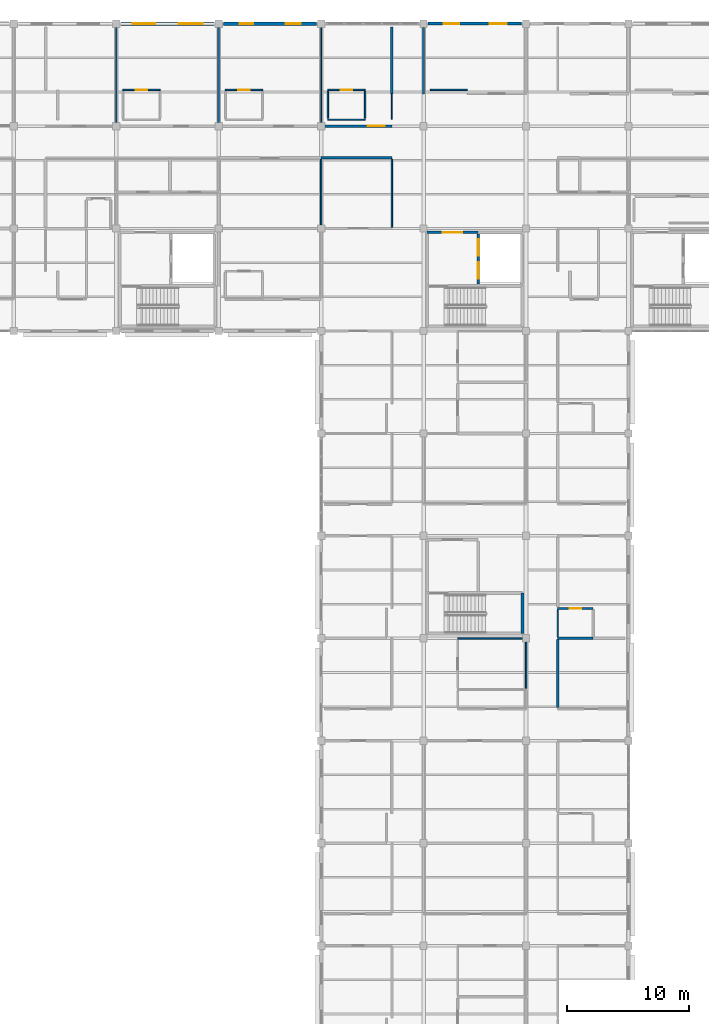
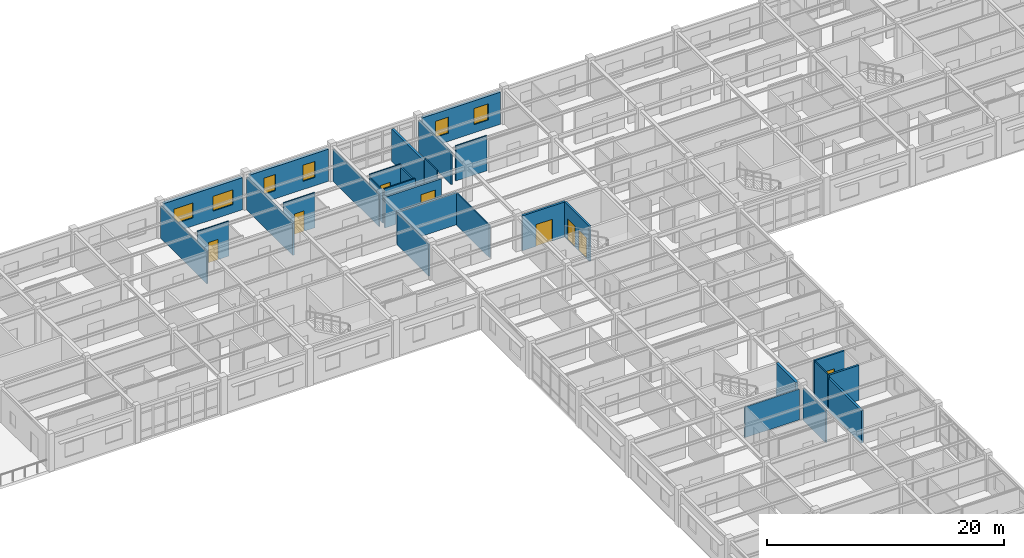
# One storey, part 54 of 70: 29 walls, 8 doors, 6 windows, 14 openings.
"""IFC4 building model written with IfcOpenShell, lengths in metres."""

from ifc_helpers import new_model, si_unit, direction, frame, frame_2d, origin, place, context, subcontext, project, spatial, rectangle, extrude, material, layer, layer_set, type_object, element, fill, save


model = new_model("IFC4")

# Units and contexts
model_context = context("Model", 3, precision=1e-05, world=origin(), true_north=direction((0.0, 1.0)))
body_context = subcontext(model_context, "Body", "Model", "MODEL_VIEW")
ifc_project = project(units=[si_unit("LENGTHUNIT", "METRE"), si_unit("AREAUNIT", "SQUARE_METRE"), si_unit("VOLUMEUNIT", "CUBIC_METRE"), si_unit("PLANEANGLEUNIT", "RADIAN"), si_unit("MASSUNIT", "GRAM", prefix="KILO")], contexts=[model_context])

# Site, building, storey
site_placement = place(None, origin())
site = spatial("IfcSite", under=ifc_project, at=site_placement, CompositionType="ELEMENT")
building_placement = place(site_placement, origin())
building = spatial("IfcBuilding", under=site, at=building_placement, Name="Bramfleet General Hospital", CompositionType="ELEMENT")
storey_placement = place(building_placement, frame((0.0, 0.0, 22.5)))
storey = spatial("IfcBuildingStorey", under=building, at=storey_placement, Name="L05", CompositionType="ELEMENT", Elevation=22.5)

# Wall, openings, windows
ifc_material_1 = material(Name="Precast concrete C40/50", Category="concrete")
ifc_layer_1 = layer(ifc_material_1, 0.280029296875, Name="WT-EW-06")
ifc_layer_set_1 = layer_set([ifc_layer_1], Name="Precast concrete C40/50")
wall_type_1 = type_object("IfcWallType", Name="WT-EW-06", PredefinedType="SOLIDWALL", material=ifc_layer_set_1)
wall_1_placement = place(storey_placement, frame((75.97509765625, 117.60009765625, 0.0), z_axis=(0.0, 0.0, 1.0), x_axis=(1.0, 0.0, 0.0)))
wall_1 = element("IfcWall", 1, at=wall_1_placement, inside=storey, type_object=wall_type_1, Name="L05 Exterior Wall 347", PredefinedType="SOLIDWALL", context=body_context, shape_type="SweptSolid", body=[
    extrude(rectangle(XDim=7.64990234375, YDim=0.280029296875, at=frame_2d((3.824951171875, 0.0))), origin(), (0.0, 0.0, 1.0), 3.31005859375),
])
opening_1_placement = place(wall_1_placement, frame((0.987548828125, 0.0, 0.85009765625)))
opening_1 = element("IfcOpeningElement", 2, at=opening_1_placement, cuts=wall_1, Name="Opening W-29", PredefinedType="OPENING", context=body_context, shape_type="SweptSolid", body=[
    extrude(rectangle(XDim=1.85009765625, YDim=1.5400390625, at=frame_2d((0.925048828125, 0.77001953125))), frame((0.0, 0.14990234375, 0.0), z_axis=(0.0, -1.0, 0.0), x_axis=(1.0, 0.0, 0.0)), (0.0, 0.0, 1.0), 0.300048828125),
])
opening_2_placement = place(wall_1_placement, frame((4.762451171875, 0.0, 0.85009765625)))
opening_2 = element("IfcOpeningElement", 3, at=opening_2_placement, cuts=wall_1, Name="Opening W-30", PredefinedType="OPENING", context=body_context, shape_type="SweptSolid", body=[
    extrude(rectangle(XDim=1.949951171875, YDim=1.5400390625, at=frame_2d((0.97509765625, 0.77001953125))), frame((0.0, 0.14990234375, 0.0), z_axis=(0.0, -1.0, 0.0), x_axis=(1.0, 0.0, 0.0)), (0.0, 0.0, 1.0), 0.300048828125),
])
ifc_material_2 = material(Name="Anodised aluminium and low-E triple glazing", Category="aluminium")
window_type_1 = type_object("IfcWindowType", Name="WIN-W-29", PartitioningType="SINGLE_PANEL", PredefinedType="WINDOW", material=ifc_material_2)
window_1_placement = place(opening_1_placement, origin())
window_1 = element("IfcWindow", 4, at=window_1_placement, inside=storey, type_object=window_type_1, Name="L05 Facade Window WIN-L05-347-1", OverallHeight=1.5400390625, OverallWidth=1.85009765625, PartitioningType="SINGLE_PANEL", PredefinedType="WINDOW", context=body_context, shape_type="SweptSolid", body=[
    extrude(rectangle(XDim=1.85009765625, YDim=1.5400390625, at=frame_2d((0.925048828125, 0.77001953125))), frame((0.0, 0.030029296875, 0.0), z_axis=(0.0, -1.0, 0.0), x_axis=(1.0, 0.0, 0.0)), (0.0, 0.0, 1.0), 0.06005859375),
])
fill(opening_1, window_1)
window_type_2 = type_object("IfcWindowType", Name="WIN-W-30", PartitioningType="SINGLE_PANEL", PredefinedType="WINDOW", material=ifc_material_2)
window_2_placement = place(opening_2_placement, origin())
window_2 = element("IfcWindow", 5, at=window_2_placement, inside=storey, type_object=window_type_2, Name="L05 Facade Window WIN-L05-347-2", OverallHeight=1.5400390625, OverallWidth=1.949951171875, PartitioningType="SINGLE_PANEL", PredefinedType="WINDOW", context=body_context, shape_type="SweptSolid", body=[
    extrude(rectangle(XDim=1.949951171875, YDim=1.5400390625, at=frame_2d((0.97509765625, 0.77001953125))), frame((0.0, 0.030029296875, 0.0), z_axis=(0.0, -1.0, 0.0), x_axis=(1.0, 0.0, 0.0)), (0.0, 0.0, 1.0), 0.06005859375),
])
fill(opening_2, window_2)

ifc_layer_2 = layer(ifc_material_1, 0.264892578125, Name="WT-EW-07")
ifc_layer_set_2 = layer_set([ifc_layer_2], Name="Precast concrete C40/50")
wall_type_2 = type_object("IfcWallType", Name="WT-EW-07", PredefinedType="SOLIDWALL", material=ifc_layer_set_2)
wall_2_placement = place(storey_placement, frame((84.375, 117.60009765625, 0.0), z_axis=(0.0, 0.0, 1.0), x_axis=(1.0, 0.0, 0.0)))
wall_2 = element("IfcWall", 6, at=wall_2_placement, inside=storey, type_object=wall_type_2, Name="L05 Exterior Wall 348", PredefinedType="SOLIDWALL", context=body_context, shape_type="SweptSolid", body=[
    extrude(rectangle(XDim=7.64990234375, YDim=0.264892578125, at=frame_2d((3.824951171875, 0.0))), origin(), (0.0, 0.0, 1.0), 3.31005859375),
])
opening_3_placement = place(wall_2_placement, frame((1.362548828125, 0.0, 0.85009765625)))
opening_3 = element("IfcOpeningElement", 7, at=opening_3_placement, cuts=wall_2, Name="Opening W-31", PredefinedType="OPENING", context=body_context, shape_type="SweptSolid", body=[
    extrude(rectangle(XDim=1.10009765625, YDim=1.659912109375, at=frame_2d((0.550048828125, 0.830078125))), frame((0.0, 0.142333984375, 0.0), z_axis=(0.0, -1.0, 0.0), x_axis=(1.0, 0.0, 0.0)), (0.0, 0.0, 1.0), 0.284912109375),
])
opening_4_placement = place(wall_2_placement, frame((5.137451171875, 0.0, 0.85009765625)))
opening_4 = element("IfcOpeningElement", 8, at=opening_4_placement, cuts=wall_2, Name="Opening W-32", PredefinedType="OPENING", context=body_context, shape_type="SweptSolid", body=[
    extrude(rectangle(XDim=1.199951171875, YDim=1.659912109375, at=frame_2d((0.60009765625, 0.830078125))), frame((0.0, 0.142333984375, 0.0), z_axis=(0.0, -1.0, 0.0), x_axis=(1.0, 0.0, 0.0)), (0.0, 0.0, 1.0), 0.284912109375),
])
window_type_3 = type_object("IfcWindowType", Name="WIN-W-31", PartitioningType="SINGLE_PANEL", PredefinedType="WINDOW", material=ifc_material_2)
window_3_placement = place(opening_3_placement, origin())
window_3 = element("IfcWindow", 9, at=window_3_placement, inside=storey, type_object=window_type_3, Name="L05 Facade Window WIN-L05-348-1", OverallHeight=1.659912109375, OverallWidth=1.10009765625, PartitioningType="SINGLE_PANEL", PredefinedType="WINDOW", context=body_context, shape_type="SweptSolid", body=[
    extrude(rectangle(XDim=1.10009765625, YDim=1.659912109375, at=frame_2d((0.550048828125, 0.830078125))), frame((0.0, 0.030029296875, 0.0), z_axis=(0.0, -1.0, 0.0), x_axis=(1.0, 0.0, 0.0)), (0.0, 0.0, 1.0), 0.06005859375),
])
fill(opening_3, window_3)
window_type_4 = type_object("IfcWindowType", Name="WIN-W-32", PartitioningType="SINGLE_PANEL", PredefinedType="WINDOW", material=ifc_material_2)
window_4_placement = place(opening_4_placement, origin())
window_4 = element("IfcWindow", 10, at=window_4_placement, inside=storey, type_object=window_type_4, Name="L05 Facade Window WIN-L05-348-2", OverallHeight=1.659912109375, OverallWidth=1.199951171875, PartitioningType="SINGLE_PANEL", PredefinedType="WINDOW", context=body_context, shape_type="SweptSolid", body=[
    extrude(rectangle(XDim=1.199951171875, YDim=1.659912109375, at=frame_2d((0.60009765625, 0.830078125))), frame((0.0, 0.030029296875, 0.0), z_axis=(0.0, -1.0, 0.0), x_axis=(1.0, 0.0, 0.0)), (0.0, 0.0, 1.0), 0.06005859375),
])
fill(opening_4, window_4)

ifc_layer_3 = layer(ifc_material_1, 0.25, Name="WT-EW-08")
ifc_layer_set_3 = layer_set([ifc_layer_3], Name="Precast concrete C40/50")
wall_type_3 = type_object("IfcWallType", Name="WT-EW-08", PredefinedType="SOLIDWALL", material=ifc_layer_set_3)
wall_3_placement = place(storey_placement, frame((101.175048828125, 117.60009765625, 0.0), z_axis=(0.0, 0.0, 1.0), x_axis=(1.0, 0.0, 0.0)))
wall_3 = element("IfcWall", 11, at=wall_3_placement, inside=storey, type_object=wall_type_3, Name="L05 Exterior Wall 349", PredefinedType="SOLIDWALL", context=body_context, shape_type="SweptSolid", body=[
    extrude(rectangle(XDim=7.64990234375, YDim=0.25, at=frame_2d((3.824951171875, 0.0))), origin(), (0.0, 0.0, 1.0), 3.31005859375),
])
opening_5_placement = place(wall_3_placement, frame((1.262451171875, 0.0, 0.85009765625)))
opening_5 = element("IfcOpeningElement", 12, at=opening_5_placement, cuts=wall_3, Name="Opening W-33", PredefinedType="OPENING", context=body_context, shape_type="SweptSolid", body=[
    extrude(rectangle(XDim=1.300048828125, YDim=1.659912109375, at=frame_2d((0.64990234375, 0.830078125))), frame((0.0, 0.135009765625, 0.0), z_axis=(0.0, -1.0, 0.0), x_axis=(1.0, 0.0, 0.0)), (0.0, 0.0, 1.0), 0.27001953125),
])
opening_6_placement = place(wall_3_placement, frame((5.03759765625, 0.0, 0.85009765625)))
opening_6 = element("IfcOpeningElement", 13, at=opening_6_placement, cuts=wall_3, Name="Opening W-34", PredefinedType="OPENING", context=body_context, shape_type="SweptSolid", body=[
    extrude(rectangle(XDim=1.39990234375, YDim=1.659912109375, at=frame_2d((0.699951171875, 0.830078125))), frame((0.0, 0.135009765625, 0.0), z_axis=(0.0, -1.0, 0.0), x_axis=(1.0, 0.0, 0.0)), (0.0, 0.0, 1.0), 0.27001953125),
])
window_type_5 = type_object("IfcWindowType", Name="WIN-W-33", PartitioningType="SINGLE_PANEL", PredefinedType="WINDOW", material=ifc_material_2)
window_5_placement = place(opening_5_placement, origin())
window_5 = element("IfcWindow", 14, at=window_5_placement, inside=storey, type_object=window_type_5, Name="L05 Facade Window WIN-L05-349-1", OverallHeight=1.659912109375, OverallWidth=1.300048828125, PartitioningType="SINGLE_PANEL", PredefinedType="WINDOW", context=body_context, shape_type="SweptSolid", body=[
    extrude(rectangle(XDim=1.300048828125, YDim=1.659912109375, at=frame_2d((0.64990234375, 0.830078125))), frame((0.0, 0.030029296875, 0.0), z_axis=(0.0, -1.0, 0.0), x_axis=(1.0, 0.0, 0.0)), (0.0, 0.0, 1.0), 0.06005859375),
])
fill(opening_5, window_5)
window_type_6 = type_object("IfcWindowType", Name="WIN-W-34", PartitioningType="SINGLE_PANEL", PredefinedType="WINDOW", material=ifc_material_2)
window_6_placement = place(opening_6_placement, origin())
window_6 = element("IfcWindow", 15, at=window_6_placement, inside=storey, type_object=window_type_6, Name="L05 Facade Window WIN-L05-349-2", OverallHeight=1.659912109375, OverallWidth=1.39990234375, PartitioningType="SINGLE_PANEL", PredefinedType="WINDOW", context=body_context, shape_type="SweptSolid", body=[
    extrude(rectangle(XDim=1.39990234375, YDim=1.659912109375, at=frame_2d((0.699951171875, 0.830078125))), frame((0.0, 0.030029296875, 0.0), z_axis=(0.0, -1.0, 0.0), x_axis=(1.0, 0.0, 0.0)), (0.0, 0.0, 1.0), 0.06005859375),
])
fill(opening_6, window_6)

# Wall
ifc_material_3 = material(Name="Concrete C35/45", Category="concrete")
ifc_layer_4 = layer(ifc_material_3, 0.219970703125, Name="WT-IW-01")
ifc_layer_set_4 = layer_set([ifc_layer_4], Name="Concrete C35/45")
wall_type_4 = type_object("IfcWallType", Name="WT-IW-01", PredefinedType="PARTITIONING", material=ifc_layer_set_4)
wall_4_placement = place(storey_placement, frame((98.199951171875, 111.85009765625, 0.0), z_axis=(0.0, 0.0, 1.0), x_axis=(0.0, 1.0, 0.0)))
element("IfcWall", 16, at=wall_4_placement, inside=storey, type_object=wall_type_4, Name="L05 Interior Partition IW-L05-3721", PredefinedType="PARTITIONING", context=body_context, shape_type="SweptSolid", body=[
    extrude(rectangle(XDim=5.469970703125, YDim=0.219970703125, at=frame_2d((2.73486328125, 0.0))), origin(), (0.0, 0.0, 1.0), 3.340087890625),
])

# Wall, openings, doors
ifc_layer_5 = layer(ifc_material_3, 0.205078125, Name="WT-IW-02")
ifc_layer_set_5 = layer_set([ifc_layer_5], Name="Concrete C35/45")
wall_type_5 = type_object("IfcWallType", Name="WT-IW-02", PredefinedType="PARTITIONING", material=ifc_layer_set_5)
wall_5_placement = place(storey_placement, frame((105.280029296875, 96.239990234375, 0.0), z_axis=(0.0, 0.0, 1.0), x_axis=(0.0, 1.0, 0.0)))
wall_5 = element("IfcWall", 17, at=wall_5_placement, inside=storey, type_object=wall_type_5, Name="L05 C4 Lobby East Shaft Wall", PredefinedType="PARTITIONING", context=body_context, shape_type="SweptSolid", body=[
    extrude(rectangle(XDim=4.1201171875, YDim=0.205078125, at=frame_2d((2.06005859375, 0.0))), origin(), (0.0, 0.0, 1.0), 3.610107421875),
])
opening_7_placement = place(wall_5_placement, frame((0.445068359375, 0.0, 0.0)))
opening_7 = element("IfcOpeningElement", 18, at=opening_7_placement, cuts=wall_5, Name="Opening LD-FL-02-L05", PredefinedType="OPENING", context=body_context, shape_type="SweptSolid", body=[
    extrude(rectangle(XDim=1.35009765625, YDim=2.199951171875, at=frame_2d((0.675048828125, 1.10009765625))), frame((0.0, 0.112548828125, 0.0), z_axis=(0.0, -1.0, 0.0), x_axis=(1.0, 0.0, 0.0)), (0.0, 0.0, 1.0), 0.22509765625),
])
opening_8_placement = place(wall_5_placement, frame((2.324951171875, 0.0, 0.0)))
opening_8 = element("IfcOpeningElement", 19, at=opening_8_placement, cuts=wall_5, Name="Opening LD-BL-04-L05", PredefinedType="OPENING", context=body_context, shape_type="SweptSolid", body=[
    extrude(rectangle(XDim=1.35009765625, YDim=2.199951171875, at=frame_2d((0.675048828125, 1.10009765625))), frame((0.0, 0.112548828125, 0.0), z_axis=(0.0, -1.0, 0.0), x_axis=(1.0, 0.0, 0.0)), (0.0, 0.0, 1.0), 0.22509765625),
])
ifc_material_4 = material(Name="Brushed stainless steel 1.4301", Category="steel")
door_type_1 = type_object("IfcDoorType", Name="DR-LD-01", OperationType="NOTDEFINED", PredefinedType="DOOR", material=ifc_material_4)
door_1_placement = place(opening_7_placement, origin())
door_1 = element("IfcDoor", 20, at=door_1_placement, inside=storey, type_object=door_type_1, Name="L05 Lift FL-02 Sliding Landing Door", OperationType="SLIDING_TO_LEFT", OverallHeight=2.199951171875, OverallWidth=1.35009765625, PredefinedType="DOOR", context=body_context, shape_type="SweptSolid", body=[
    extrude(rectangle(XDim=1.35009765625, YDim=2.199951171875, at=frame_2d((0.675048828125, 1.10009765625))), frame((0.0, 0.02490234375, 0.0), z_axis=(0.0, -1.0, 0.0), x_axis=(1.0, 0.0, 0.0)), (0.0, 0.0, 1.0), 0.050048828125),
])
fill(opening_7, door_1)
door_2_placement = place(opening_8_placement, origin())
door_2 = element("IfcDoor", 21, at=door_2_placement, inside=storey, type_object=door_type_1, Name="L05 Lift BL-04 Sliding Landing Door", OperationType="SLIDING_TO_LEFT", OverallHeight=2.199951171875, OverallWidth=1.35009765625, PredefinedType="DOOR", context=body_context, shape_type="SweptSolid", body=[
    extrude(rectangle(XDim=1.35009765625, YDim=2.199951171875, at=frame_2d((0.675048828125, 1.10009765625))), frame((0.0, 0.02490234375, 0.0), z_axis=(0.0, -1.0, 0.0), x_axis=(1.0, 0.0, 0.0)), (0.0, 0.0, 1.0), 0.050048828125),
])
fill(opening_8, door_2)

# Wall, opening, door
wall_6_placement = place(storey_placement, frame((101.10009765625, 100.47998046875, 0.0), z_axis=(0.0, 0.0, 1.0), x_axis=(1.0, 0.0, 0.0)))
wall_6 = element("IfcWall", 22, at=wall_6_placement, inside=storey, type_object=wall_type_5, Name="L05 C4 Lobby North Compartment Wall", PredefinedType="PARTITIONING", context=body_context, shape_type="SweptSolid", body=[
    extrude(rectangle(XDim=4.179931640625, YDim=0.205078125, at=frame_2d((2.08984375, 0.0))), origin(), (0.0, 0.0, 1.0), 3.610107421875),
])
opening_9_placement = place(wall_6_placement, frame((1.2900390625, 0.0, 0.0)))
opening_9 = element("IfcOpeningElement", 23, at=opening_9_placement, cuts=wall_6, Name="Opening D0050", PredefinedType="OPENING", context=body_context, shape_type="SweptSolid", body=[
    extrude(rectangle(XDim=1.60009765625, YDim=2.25, at=frame_2d((0.800048828125, 1.125))), frame((0.0, 0.112548828125, 0.0), z_axis=(0.0, -1.0, 0.0), x_axis=(1.0, 0.0, 0.0)), (0.0, 0.0, 1.0), 0.22509765625),
])
ifc_material_5 = material(Name="Stainless steel and acoustic timber leaf", Category="steel")
door_type_2 = type_object("IfcDoorType", Name="DR-D-04", OperationType="NOTDEFINED", PredefinedType="DOOR", material=ifc_material_5)
door_3_placement = place(opening_9_placement, origin())
door_3 = element("IfcDoor", 24, at=door_3_placement, inside=storey, type_object=door_type_2, Name="L05 C4 Lobby Fire Door D0050", OperationType="DOUBLE_SWING_LEFT", OverallHeight=2.25, OverallWidth=1.60009765625, PredefinedType="DOOR", context=body_context, shape_type="SweptSolid", body=[
    extrude(rectangle(XDim=1.60009765625, YDim=2.25, at=frame_2d((0.800048828125, 1.125))), frame((0.0, 0.02490234375, 0.0), z_axis=(0.0, -1.0, 0.0), x_axis=(1.0, 0.0, 0.0)), (0.0, 0.0, 1.0), 0.050048828125),
])
fill(opening_9, door_3)

# Walls
wall_7_placement = place(storey_placement, frame((92.39990234375, 106.60009765625, 0.0), z_axis=(0.0, 0.0, 1.0), x_axis=(1.0, 0.0, 0.0)))
element("IfcWall", 25, at=wall_7_placement, inside=storey, type_object=wall_type_5, Name="L05 Interior Partition IW-L05-3626", PredefinedType="PARTITIONING", context=body_context, shape_type="SweptSolid", body=[
    extrude(rectangle(XDim=5.800048828125, YDim=0.205078125, at=frame_2d((2.89990234375, 0.0))), origin(), (0.0, 0.0, 1.0), 3.300048828125),
])
wall_8_placement = place(storey_placement, frame((111.800048828125, 61.514892578125, 0.0), z_axis=(0.0, 0.0, 1.0), x_axis=(0.0, 1.0, 0.0)))
element("IfcWall", 26, at=wall_8_placement, inside=storey, type_object=wall_type_5, Name="L05 Interior Partition IW-L05-3758", PredefinedType="PARTITIONING", context=body_context, shape_type="SweptSolid", body=[
    extrude(rectangle(XDim=5.570068359375, YDim=0.205078125, at=frame_2d((2.78515625, 0.0))), origin(), (0.0, 0.0, 1.0), 3.340087890625),
])
ifc_layer_6 = layer(ifc_material_3, 0.18994140625, Name="WT-IW-03")
ifc_layer_set_6 = layer_set([ifc_layer_6], Name="Concrete C35/45")
wall_type_6 = type_object("IfcWallType", Name="WT-IW-03", PredefinedType="PARTITIONING", material=ifc_layer_set_6)
wall_9_placement = place(storey_placement, frame((111.800048828125, 67.199951171875, 0.0), z_axis=(0.0, 0.0, 1.0), x_axis=(1.0, 0.0, 0.0)))
element("IfcWall", 27, at=wall_9_placement, inside=storey, type_object=wall_type_6, Name="L05 Interior Partition IW-L05-3567", PredefinedType="PARTITIONING", context=body_context, shape_type="SweptSolid", body=[
    extrude(rectangle(XDim=2.89990234375, YDim=0.18994140625, at=frame_2d((1.449951171875, 0.0))), origin(), (0.0, 0.0, 1.0), 3.610107421875),
])

# Wall, opening, door
wall_10_placement = place(storey_placement, frame((92.695068359375, 109.199951171875, 0.0), z_axis=(0.0, 0.0, 1.0), x_axis=(1.0, 0.0, 0.0)))
wall_10 = element("IfcWall", 28, at=wall_10_placement, inside=storey, type_object=wall_type_6, Name="L05 Interior Partition IW-L05-3639", PredefinedType="PARTITIONING", context=body_context, shape_type="SweptSolid", body=[
    extrude(rectangle(XDim=5.5048828125, YDim=0.18994140625, at=frame_2d((2.75244140625, 0.0))), origin(), (0.0, 0.0, 1.0), 3.159912109375),
])
opening_10_placement = place(wall_10_placement, frame((3.526611328125, 0.0, 0.0)))
opening_10 = element("IfcOpeningElement", 29, at=opening_10_placement, cuts=wall_10, Name="Opening D1377", PredefinedType="OPENING", context=body_context, shape_type="SweptSolid", body=[
    extrude(rectangle(XDim=1.39990234375, YDim=2.199951171875, at=frame_2d((0.699951171875, 1.10009765625))), frame((0.0, 0.10498046875, 0.0), z_axis=(0.0, -1.0, 0.0), x_axis=(1.0, 0.0, 0.0)), (0.0, 0.0, 1.0), 0.2099609375),
])
door_type_3 = type_object("IfcDoorType", Name="DR-D-01", OperationType="NOTDEFINED", PredefinedType="DOOR", material=ifc_material_5)
door_4_placement = place(opening_10_placement, origin())
door_4 = element("IfcDoor", 30, at=door_4_placement, inside=storey, type_object=door_type_3, Name="Medical and Cardiology Ward Bedroom L05-1113 Door D1377", OperationType="SINGLE_SWING_RIGHT", OverallHeight=2.199951171875, OverallWidth=1.39990234375, PredefinedType="DOOR", context=body_context, shape_type="SweptSolid", body=[
    extrude(rectangle(XDim=1.39990234375, YDim=2.199951171875, at=frame_2d((0.699951171875, 1.10009765625))), frame((0.0, 0.02490234375, 0.0), z_axis=(0.0, -1.0, 0.0), x_axis=(1.0, 0.0, 0.0)), (0.0, 0.0, 1.0), 0.050048828125),
])
fill(opening_10, door_4)

ifc_material_6 = material(Name="Gypsum plasterboard on acoustic steel studs", Category="steel")
ifc_layer_7 = layer(ifc_material_6, 0.169921875, Name="WT-IW-05")
ifc_layer_set_7 = layer_set([ifc_layer_7], Name="Gypsum plasterboard on acoustic steel studs")
wall_type_7 = type_object("IfcWallType", Name="WT-IW-05", PredefinedType="PARTITIONING", material=ifc_layer_set_7)
wall_11_placement = place(storey_placement, frame((111.800048828125, 69.64990234375, 0.0), z_axis=(0.0, 0.0, 1.0), x_axis=(1.0, 0.0, 0.0)))
wall_11 = element("IfcWall", 31, at=wall_11_placement, inside=storey, type_object=wall_type_7, Name="L05 Interior Partition IW-L05-3569", PredefinedType="PARTITIONING", context=body_context, shape_type="SweptSolid", body=[
    extrude(rectangle(XDim=2.89990234375, YDim=0.169921875, at=frame_2d((1.449951171875, 0.0))), origin(), (0.0, 0.0, 1.0), 3.610107421875),
])
opening_11_placement = place(wall_11_placement, frame((0.97509765625, 0.0, 0.0)))
opening_11 = element("IfcOpeningElement", 32, at=opening_11_placement, cuts=wall_11, Name="Opening D1404", PredefinedType="OPENING", context=body_context, shape_type="SweptSolid", body=[
    extrude(rectangle(XDim=0.949951171875, YDim=2.10009765625, at=frame_2d((0.47509765625, 1.050048828125))), frame((0.0, 0.094970703125, 0.0), z_axis=(0.0, -1.0, 0.0), x_axis=(1.0, 0.0, 0.0)), (0.0, 0.0, 1.0), 0.18994140625),
])
door_type_4 = type_object("IfcDoorType", Name="DR-D-10", OperationType="NOTDEFINED", PredefinedType="DOOR", material=ifc_material_5)
door_5_placement = place(opening_11_placement, origin())
door_5 = element("IfcDoor", 33, at=door_5_placement, inside=storey, type_object=door_type_4, Name="En-Suite Bathroom L05-1308 Door D1404", OperationType="SINGLE_SWING_LEFT", OverallHeight=2.10009765625, OverallWidth=0.949951171875, PredefinedType="DOOR", context=body_context, shape_type="SweptSolid", body=[
    extrude(rectangle(XDim=0.949951171875, YDim=2.10009765625, at=frame_2d((0.47509765625, 1.050048828125))), frame((0.0, 0.02490234375, 0.0), z_axis=(0.0, -1.0, 0.0), x_axis=(1.0, 0.0, 0.0)), (0.0, 0.0, 1.0), 0.050048828125),
])
fill(opening_11, door_5)

# Walls
wall_12_placement = place(storey_placement, frame((84.0, 109.4951171875, 0.0), z_axis=(0.0, 0.0, 1.0), x_axis=(0.0, 1.0, 0.0)))
element("IfcWall", 34, at=wall_12_placement, inside=storey, type_object=wall_type_7, Name="L05 Interior Partition IW-L05-3689", PredefinedType="PARTITIONING", context=body_context, shape_type="SweptSolid", body=[
    extrude(rectangle(XDim=7.809814453125, YDim=0.169921875, at=frame_2d((3.90478515625, 0.0))), origin(), (0.0, 0.0, 1.0), 3.300048828125),
])
ifc_layer_8 = layer(ifc_material_6, 0.14990234375, Name="WT-IW-07")
ifc_layer_set_8 = layer_set([ifc_layer_8], Name="Gypsum plasterboard on acoustic steel studs")
wall_type_8 = type_object("IfcWallType", Name="WT-IW-07", PredefinedType="PARTITIONING", material=ifc_layer_set_8)
wall_13_placement = place(storey_placement, frame((100.800048828125, 111.85009765625, 0.0), z_axis=(0.0, 0.0, 1.0), x_axis=(0.0, 1.0, 0.0)))
element("IfcWall", 35, at=wall_13_placement, inside=storey, type_object=wall_type_8, Name="L05 Interior Partition IW-L05-3727", PredefinedType="PARTITIONING", context=body_context, shape_type="SweptSolid", body=[
    extrude(rectangle(XDim=5.454833984375, YDim=0.14990234375, at=frame_2d((2.7275390625, 0.0))), origin(), (0.0, 0.0, 1.0), 3.300048828125),
])
ifc_layer_9 = layer(ifc_material_6, 0.1201171875, Name="WT-IW-10")
ifc_layer_set_9 = layer_set([ifc_layer_9], Name="Gypsum plasterboard on acoustic steel studs")
wall_type_9 = type_object("IfcWallType", Name="WT-IW-10", PredefinedType="PARTITIONING", material=ifc_layer_set_9)
wall_14_placement = place(storey_placement, frame((103.60009765625, 67.199951171875, 0.0), z_axis=(0.0, 0.0, 1.0), x_axis=(1.0, 0.0, 0.0)))
element("IfcWall", 36, at=wall_14_placement, inside=storey, type_object=wall_type_9, Name="L05 Interior Partition IW-L05-3566", PredefinedType="PARTITIONING", context=body_context, shape_type="SweptSolid", body=[
    extrude(rectangle(XDim=5.304931640625, YDim=0.1201171875, at=frame_2d((2.65234375, 0.0))), origin(), (0.0, 0.0, 1.0), 3.159912109375),
])
wall_15_placement = place(storey_placement, frame((92.949951171875, 109.719970703125, 0.0), z_axis=(0.0, 0.0, 1.0), x_axis=(1.0, 0.0, 0.0)))
element("IfcWall", 37, at=wall_15_placement, inside=storey, type_object=wall_type_9, Name="L05 Interior Partition IW-L05-3645", PredefinedType="PARTITIONING", context=body_context, shape_type="SweptSolid", body=[
    extrude(rectangle(XDim=3.050048828125, YDim=0.1201171875, at=frame_2d((1.52490234375, 0.0))), origin(), (0.0, 0.0, 1.0), 3.610107421875),
])

# Wall, opening, door
wall_16_placement = place(storey_placement, frame((76.14990234375, 112.169921875, 0.0), z_axis=(0.0, 0.0, 1.0), x_axis=(1.0, 0.0, 0.0)))
wall_16 = element("IfcWall", 38, at=wall_16_placement, inside=storey, type_object=wall_type_9, Name="L05 Interior Partition IW-L05-3655", PredefinedType="PARTITIONING", context=body_context, shape_type="SweptSolid", body=[
    extrude(rectangle(XDim=3.050048828125, YDim=0.1201171875, at=frame_2d((1.52490234375, 0.0))), origin(), (0.0, 0.0, 1.0), 3.610107421875),
])
opening_12_placement = place(wall_16_placement, frame((1.050048828125, 0.0, 0.0)))
opening_12 = element("IfcOpeningElement", 39, at=opening_12_placement, cuts=wall_16, Name="Opening D1357", PredefinedType="OPENING", context=body_context, shape_type="SweptSolid", body=[
    extrude(rectangle(XDim=0.949951171875, YDim=2.10009765625, at=frame_2d((0.47509765625, 1.050048828125))), frame((0.0, 0.070068359375, 0.0), z_axis=(0.0, -1.0, 0.0), x_axis=(1.0, 0.0, 0.0)), (0.0, 0.0, 1.0), 0.14013671875),
])
door_6_placement = place(opening_12_placement, origin())
door_6 = element("IfcDoor", 40, at=door_6_placement, inside=storey, type_object=door_type_4, Name="En-Suite Bathroom L05-0913 Door D1357", OperationType="SINGLE_SWING_LEFT", OverallHeight=2.10009765625, OverallWidth=0.949951171875, PredefinedType="DOOR", context=body_context, shape_type="SweptSolid", body=[
    extrude(rectangle(XDim=0.949951171875, YDim=2.10009765625, at=frame_2d((0.47509765625, 1.050048828125))), frame((0.0, 0.02490234375, 0.0), z_axis=(0.0, -1.0, 0.0), x_axis=(1.0, 0.0, 0.0)), (0.0, 0.0, 1.0), 0.050048828125),
])
fill(opening_12, door_6)

wall_17_placement = place(storey_placement, frame((84.550048828125, 112.169921875, 0.0), z_axis=(0.0, 0.0, 1.0), x_axis=(1.0, 0.0, 0.0)))
wall_17 = element("IfcWall", 41, at=wall_17_placement, inside=storey, type_object=wall_type_9, Name="L05 Interior Partition IW-L05-3656", PredefinedType="PARTITIONING", context=body_context, shape_type="SweptSolid", body=[
    extrude(rectangle(XDim=3.050048828125, YDim=0.1201171875, at=frame_2d((1.52490234375, 0.0))), origin(), (0.0, 0.0, 1.0), 3.610107421875),
])
opening_13_placement = place(wall_17_placement, frame((1.050048828125, 0.0, 0.0)))
opening_13 = element("IfcOpeningElement", 42, at=opening_13_placement, cuts=wall_17, Name="Opening D1362", PredefinedType="OPENING", context=body_context, shape_type="SweptSolid", body=[
    extrude(rectangle(XDim=0.949951171875, YDim=2.10009765625, at=frame_2d((0.47509765625, 1.050048828125))), frame((0.0, 0.070068359375, 0.0), z_axis=(0.0, -1.0, 0.0), x_axis=(1.0, 0.0, 0.0)), (0.0, 0.0, 1.0), 0.14013671875),
])
door_7_placement = place(opening_13_placement, origin())
door_7 = element("IfcDoor", 43, at=door_7_placement, inside=storey, type_object=door_type_4, Name="En-Suite Bathroom L05-1013 Door D1362", OperationType="SINGLE_SWING_LEFT", OverallHeight=2.10009765625, OverallWidth=0.949951171875, PredefinedType="DOOR", context=body_context, shape_type="SweptSolid", body=[
    extrude(rectangle(XDim=0.949951171875, YDim=2.10009765625, at=frame_2d((0.47509765625, 1.050048828125))), frame((0.0, 0.02490234375, 0.0), z_axis=(0.0, -1.0, 0.0), x_axis=(1.0, 0.0, 0.0)), (0.0, 0.0, 1.0), 0.050048828125),
])
fill(opening_13, door_7)

wall_18_placement = place(storey_placement, frame((92.949951171875, 112.169921875, 0.0), z_axis=(0.0, 0.0, 1.0), x_axis=(1.0, 0.0, 0.0)))
wall_18 = element("IfcWall", 44, at=wall_18_placement, inside=storey, type_object=wall_type_9, Name="L05 Interior Partition IW-L05-3657", PredefinedType="PARTITIONING", context=body_context, shape_type="SweptSolid", body=[
    extrude(rectangle(XDim=3.050048828125, YDim=0.1201171875, at=frame_2d((1.52490234375, 0.0))), origin(), (0.0, 0.0, 1.0), 3.610107421875),
])
opening_14_placement = place(wall_18_placement, frame((1.050048828125, 0.0, 0.0)))
opening_14 = element("IfcOpeningElement", 45, at=opening_14_placement, cuts=wall_18, Name="Opening D1378", PredefinedType="OPENING", context=body_context, shape_type="SweptSolid", body=[
    extrude(rectangle(XDim=0.949951171875, YDim=2.10009765625, at=frame_2d((0.47509765625, 1.050048828125))), frame((0.0, 0.070068359375, 0.0), z_axis=(0.0, -1.0, 0.0), x_axis=(1.0, 0.0, 0.0)), (0.0, 0.0, 1.0), 0.14013671875),
])
door_8_placement = place(opening_14_placement, origin())
door_8 = element("IfcDoor", 46, at=door_8_placement, inside=storey, type_object=door_type_4, Name="En-Suite Bathroom L05-1113 Door D1378", OperationType="SINGLE_SWING_LEFT", OverallHeight=2.10009765625, OverallWidth=0.949951171875, PredefinedType="DOOR", context=body_context, shape_type="SweptSolid", body=[
    extrude(rectangle(XDim=0.949951171875, YDim=2.10009765625, at=frame_2d((0.47509765625, 1.050048828125))), frame((0.0, 0.02490234375, 0.0), z_axis=(0.0, -1.0, 0.0), x_axis=(1.0, 0.0, 0.0)), (0.0, 0.0, 1.0), 0.050048828125),
])
fill(opening_14, door_8)

# Walls
wall_19_placement = place(storey_placement, frame((101.35009765625, 112.169921875, 0.0), z_axis=(0.0, 0.0, 1.0), x_axis=(1.0, 0.0, 0.0)))
element("IfcWall", 47, at=wall_19_placement, inside=storey, type_object=wall_type_9, Name="L05 Interior Partition IW-L05-3658", PredefinedType="PARTITIONING", context=body_context, shape_type="SweptSolid", body=[
    extrude(rectangle(XDim=3.0498046875, YDim=0.1201171875, at=frame_2d((1.52490234375, 0.0))), origin(), (0.0, 0.0, 1.0), 3.610107421875),
])
wall_20_placement = place(storey_placement, frame((75.60009765625, 109.4951171875, 0.0), z_axis=(0.0, 0.0, 1.0), x_axis=(0.0, 1.0, 0.0)))
element("IfcWall", 48, at=wall_20_placement, inside=storey, type_object=wall_type_9, Name="L05 Interior Partition IW-L05-3682", PredefinedType="PARTITIONING", context=body_context, shape_type="SweptSolid", body=[
    extrude(rectangle(XDim=7.809814453125, YDim=0.1201171875, at=frame_2d((3.90478515625, 0.0))), origin(), (0.0, 0.0, 1.0), 3.300048828125),
])
for number, where, z_axis, x_axis, name in (
    (49, (92.949951171875, 109.8349609375, 0.0), (0.0, 0.0, 1.0), (0.0, 1.0, 0.0), "L05 Interior Partition IW-L05-3699"),
    (50, (96.0, 109.8349609375, 0.0), (0.0, 0.0, 1.0), (0.0, 1.0, 0.0), "L05 Interior Partition IW-L05-3702"),
):
    element("IfcWall", number, at=place(storey_placement, frame(where, z_axis=z_axis, x_axis=x_axis)), inside=storey, type_object=wall_type_9, Name=name, PredefinedType="PARTITIONING", context=body_context, shape_type="SweptSolid", body=[
        extrude(rectangle(XDim=2.219970703125, YDim=0.1201171875, at=frame_2d((1.10986328125, 0.0))), origin(), (0.0, 0.0, 1.0), 3.340087890625),
    ])
wall_21_placement = place(storey_placement, frame((109.199951171875, 63.114990234375, 0.0), z_axis=(0.0, 0.0, 1.0), x_axis=(0.0, 1.0, 0.0)))
element("IfcWall", 51, at=wall_21_placement, inside=storey, type_object=wall_type_9, Name="L05 Interior Partition IW-L05-3743", PredefinedType="PARTITIONING", context=body_context, shape_type="SweptSolid", body=[
    extrude(rectangle(XDim=3.7900390625, YDim=0.1201171875, at=frame_2d((1.89501953125, 0.0))), origin(), (0.0, 0.0, 1.0), 3.300048828125),
])
wall_22_placement = place(storey_placement, frame((111.800048828125, 67.31494140625, 0.0), z_axis=(0.0, 0.0, 1.0), x_axis=(0.0, 1.0, 0.0)))
element("IfcWall", 52, at=wall_22_placement, inside=storey, type_object=wall_type_9, Name="L05 Interior Partition IW-L05-3759", PredefinedType="PARTITIONING", context=body_context, shape_type="SweptSolid", body=[
    extrude(rectangle(XDim=2.219970703125, YDim=0.1201171875, at=frame_2d((1.10986328125, 0.0))), origin(), (0.0, 0.0, 1.0), 3.610107421875),
])
ifc_layer_10 = layer(ifc_material_6, 0.112060546875, Name="WT-IW-11")
ifc_layer_set_10 = layer_set([ifc_layer_10], Name="Gypsum plasterboard on acoustic steel studs")
wall_type_10 = type_object("IfcWallType", Name="WT-IW-11", PredefinedType="PARTITIONING", material=ifc_layer_set_10)
wall_23_placement = place(storey_placement, frame((92.39990234375, 101.094970703125, 0.0), z_axis=(0.0, 0.0, 1.0), x_axis=(0.0, 1.0, 0.0)))
element("IfcWall", 53, at=wall_23_placement, inside=storey, type_object=wall_type_10, Name="L05 Interior Partition IW-L05-3695", PredefinedType="PARTITIONING", context=body_context, shape_type="SweptSolid", body=[
    extrude(rectangle(XDim=5.39013671875, YDim=0.112060546875, at=frame_2d((2.695068359375, 0.0))), origin(), (0.0, 0.0, 1.0), 3.300048828125),
])
wall_24_placement = place(storey_placement, frame((98.199951171875, 100.9150390625, 0.0), z_axis=(0.0, 0.0, 1.0), x_axis=(0.0, 1.0, 0.0)))
element("IfcWall", 54, at=wall_24_placement, inside=storey, type_object=wall_type_10, Name="L05 Interior Partition IW-L05-3719", PredefinedType="PARTITIONING", context=body_context, shape_type="SweptSolid", body=[
    extrude(rectangle(XDim=5.570068359375, YDim=0.112060546875, at=frame_2d((2.78515625, 0.0))), origin(), (0.0, 0.0, 1.0), 3.340087890625),
])
ifc_layer_11 = layer(ifc_material_6, 0.10009765625, Name="WT-IW-12")
ifc_layer_set_11 = layer_set([ifc_layer_11], Name="Gypsum plasterboard on acoustic steel studs")
wall_type_11 = type_object("IfcWallType", Name="WT-IW-12", PredefinedType="PARTITIONING", material=ifc_layer_set_11)
wall_25_placement = place(storey_placement, frame((92.39990234375, 109.4951171875, 0.0), z_axis=(0.0, 0.0, 1.0), x_axis=(0.0, 1.0, 0.0)))
element("IfcWall", 55, at=wall_25_placement, inside=storey, type_object=wall_type_11, Name="L05 Interior Partition IW-L05-3696", PredefinedType="PARTITIONING", context=body_context, shape_type="SweptSolid", body=[
    extrude(rectangle(XDim=7.809814453125, YDim=0.10009765625, at=frame_2d((3.90478515625, 0.0))), origin(), (0.0, 0.0, 1.0), 3.300048828125),
])
wall_26_placement = place(storey_placement, frame((98.199951171875, 109.75, 0.0), z_axis=(0.0, 0.0, 1.0), x_axis=(0.0, 1.0, 0.0)))
element("IfcWall", 56, at=wall_26_placement, inside=storey, type_object=wall_type_11, Name="L05 Interior Partition IW-L05-3720", PredefinedType="PARTITIONING", context=body_context, shape_type="SweptSolid", body=[
    extrude(rectangle(XDim=2.10009765625, YDim=0.10009765625, at=frame_2d((1.050048828125, 0.0))), origin(), (0.0, 0.0, 1.0), 3.610107421875),
])
ifc_material_7 = material(Name="Concrete C40/50", Category="concrete")
ifc_layer_12 = layer(ifc_material_7, 0.239990234375, Name="WT-SW-240")
ifc_layer_set_12 = layer_set([ifc_layer_12], Name="Concrete C40/50")
wall_type_12 = type_object("IfcWallType", Name="WT-SW-240", PredefinedType="SHEAR", material=ifc_layer_set_12)
wall_27_placement = place(storey_placement, frame((108.919921875, 67.580078125, 0.0), z_axis=(0.0, 0.0, 1.0), x_axis=(0.0, 1.0, 0.0)))
element("IfcWall", 57, at=wall_27_placement, inside=storey, type_object=wall_type_12, Name="L05 C11 East Stair Shear Wall", PredefinedType="SHEAR", context=body_context, shape_type="SweptSolid", body=[
    extrude(rectangle(XDim=3.31982421875, YDim=0.239990234375, at=frame_2d((1.659912109375, 0.0))), origin(), (0.0, 0.0, 1.0), 3.6201171875),
])

save(model, "model.ifc")
